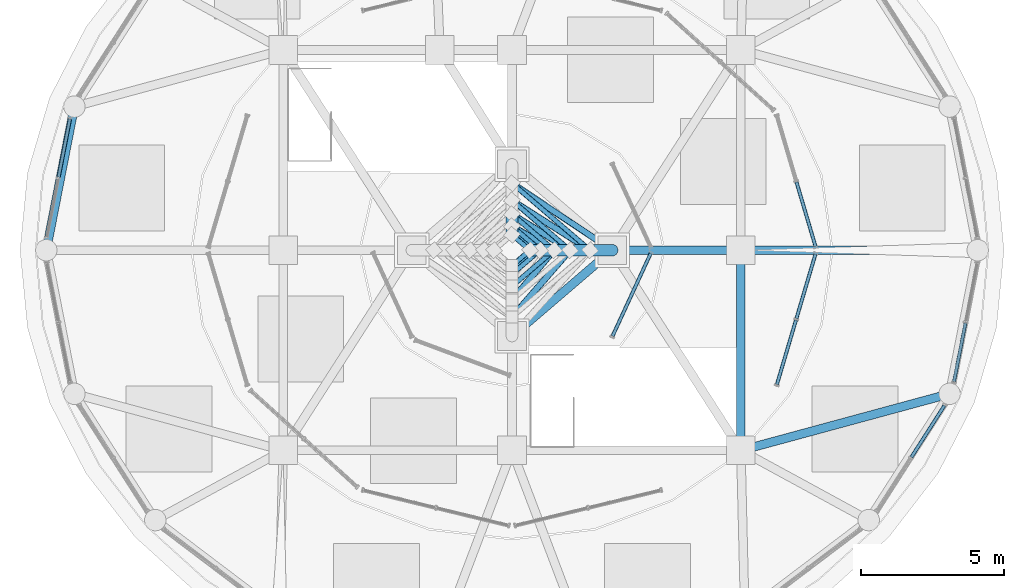
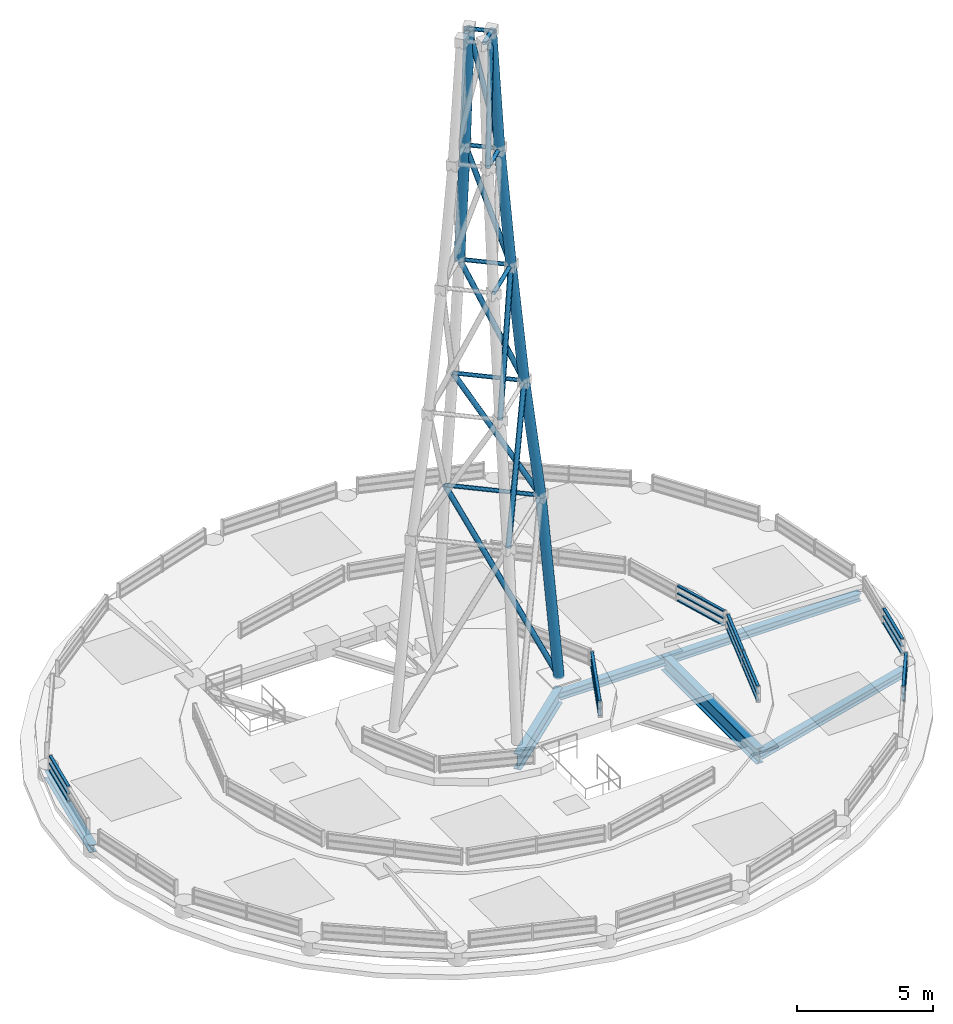
# One storey, part 4 of 21: 44 members, 6 beams, 6 elements without a shape of their own.
"""IFC4 building model written with IfcOpenShell, lengths in metres."""

import ifcopenshell
import ifcopenshell.guid

model = None  # the IFC model being written
_history = None  # IfcOwnerHistory: only IFC2X3 demands one
_inside = {}  # id of a spatial element -> (the spatial element, [elements in it])
_under = {}  # id of a project, library or spatial element -> (it, [spatial elements below it])
_declared = {}  # id of a project -> (the project, [libraries it declares])
_typed = {}  # id of a type object -> (the type object, [elements of that type])
_made_of = {}  # id of a material, layer set ... -> (it, [elements and type objects made of it])


def new_model(schema):
    """Start an empty IFC model of exactly this schema.

    Asked for "IFC4X3", IfcOpenShell would pick the latest addendum, in which some entities
    have other attributes; the version numbers below select the first issue.
    IFC2X3 requires an IfcOwnerHistory on every rooted entity: one is made here for all.
    """
    global model, _history
    if schema == "IFC4X3":
        model = ifcopenshell.file(schema_version=(4, 3, 0, 0))
    else:
        model = ifcopenshell.file(schema=schema)
    _inside.clear()
    _under.clear()
    _declared.clear()
    _typed.clear()
    _made_of.clear()
    _history = None
    if model.schema == "IFC2X3":
        org = make("IfcOrganization", Name="unknown")
        user = make(
            "IfcPersonAndOrganization",
            ThePerson=make("IfcPerson", FamilyName="unknown"),
            TheOrganization=org,
        )
        app = make(
            "IfcApplication",
            ApplicationDeveloper=org,
            Version="unknown",
            ApplicationFullName="unknown",
            ApplicationIdentifier="unknown",
        )
        _history = make(
            "IfcOwnerHistory",
            OwningUser=user,
            OwningApplication=app,
            ChangeAction="ADDED",
            CreationDate=0,
        )
    return model


def make(cls, **values):
    """One entity of the class cls with the attributes given. An attribute that is None is left unset."""
    return model.create_entity(
        cls, **{name: value for name, value in values.items() if value is not None}
    )


def rooted(cls, **values):
    """An entity with a GlobalId (a new one), such as an element, a storey or a relation."""
    return make(cls, GlobalId=ifcopenshell.guid.new(), OwnerHistory=_history, **values)


def si_unit(unit_type, name, prefix=None):
    """IfcSIUnit, for example si_unit("LENGTHUNIT", "METRE", prefix="MILLI")."""
    return make("IfcSIUnit", UnitType=unit_type, Prefix=prefix, Name=name)


def assignment(units):
    """IfcUnitAssignment: the units of a project."""
    return None if units is None else make("IfcUnitAssignment", Units=units)


def point(xyz):
    """IfcCartesianPoint."""
    return None if xyz is None else make("IfcCartesianPoint", Coordinates=xyz)


def direction(xyz):
    """IfcDirection."""
    return None if xyz is None else make("IfcDirection", DirectionRatios=xyz)


def frame(location, z_axis=None, x_axis=None):
    """IfcAxis2Placement3D, a coordinate frame: its origin and axes. An axis left out is left unset."""
    return make(
        "IfcAxis2Placement3D",
        Location=point(location),
        Axis=direction(z_axis),
        RefDirection=direction(x_axis),
    )


def frame_2d(location, x_axis=None):
    """IfcAxis2Placement2D, a coordinate frame in the plane: its origin and x axis."""
    return make(
        "IfcAxis2Placement2D", Location=point(location), RefDirection=direction(x_axis)
    )


def origin():
    """The frame at (0, 0, 0) with its axes left unset."""
    return frame((0.0, 0.0, 0.0))


def origin_2d():
    """The frame at (0, 0) in the plane with its x axis left unset."""
    return frame_2d((0.0, 0.0))


def place(relative_to, where):
    """IfcLocalPlacement: puts the frame where relative to a parent placement (None: the world)."""
    return make(
        "IfcLocalPlacement", PlacementRelTo=relative_to, RelativePlacement=where
    )


def context(
    kind, dimensions, precision=None, world=None, true_north=None, identifier=None
):
    """IfcGeometricRepresentationContext, for example the 3D "Model" context."""
    return make(
        "IfcGeometricRepresentationContext",
        ContextIdentifier=identifier,
        ContextType=kind,
        CoordinateSpaceDimension=dimensions,
        Precision=precision,
        WorldCoordinateSystem=world,
        TrueNorth=true_north,
    )


def subcontext(parent, identifier, kind, view, scale=None):
    """IfcGeometricRepresentationSubContext, for example "Body" below "Model"."""
    return make(
        "IfcGeometricRepresentationSubContext",
        ContextIdentifier=identifier,
        ContextType=kind,
        ParentContext=parent,
        TargetScale=scale,
        TargetView=view,
    )


def project(units=None, contexts=None):
    """IfcProject with its units and contexts."""
    return rooted(
        "IfcProject",
        Name="project",
        RepresentationContexts=contexts,
        UnitsInContext=assignment(units),
    )


def spatial(cls, under=None, at=None, **own):
    """A site, building, storey or space (cls), placed at a placement, below another one or the project."""
    s = rooted(cls, ObjectPlacement=at, **own)
    if under is not None:
        _under.setdefault(under.id(), (under, []))[1].append(s)
    return s


def profile(cls, at=None, kind="AREA", **sizes):
    """A parametric profile (cls). Its sizes go by their IFC names, for example OverallWidth=200.0."""
    return make(cls, ProfileType=kind, Position=at, **sizes)


def hollow_rectangle(**sizes):
    """IfcRectangleHollowProfileDef."""
    return profile("IfcRectangleHollowProfileDef", **sizes)


def hollow_circle(**sizes):
    """IfcCircleHollowProfileDef."""
    return profile("IfcCircleHollowProfileDef", **sizes)


def i_section(**sizes):
    """IfcIShapeProfileDef."""
    return profile("IfcIShapeProfileDef", **sizes)


def extrude(swept, where, along, depth):
    """IfcExtrudedAreaSolid: the profile swept, set in the frame where, extruded along a direction by depth."""
    return make(
        "IfcExtrudedAreaSolid",
        SweptArea=swept,
        Position=where,
        ExtrudedDirection=direction(along),
        Depth=depth,
    )


def shape(context_of_items, identifier, shape_type, items):
    """IfcShapeRepresentation: the items that make up one representation, for example the "Body"."""
    return make(
        "IfcShapeRepresentation",
        ContextOfItems=context_of_items,
        RepresentationIdentifier=identifier,
        RepresentationType=shape_type,
        Items=items,
    )


def material(Name=None, Category=None):
    """IfcMaterial."""
    return make("IfcMaterial", Name=Name, Category=Category)


def layer(
    of_material, thickness, ventilated=None, Name=None, Category=None, Priority=None
):
    """IfcMaterialLayer: one layer of a wall or slab, of a material (None: an air gap)."""
    return make(
        "IfcMaterialLayer",
        Material=of_material,
        LayerThickness=thickness,
        IsVentilated=ventilated,
        Name=Name,
        Category=Category,
        Priority=Priority,
    )


def layer_set(layers, Name=None):
    """IfcMaterialLayerSet."""
    return make("IfcMaterialLayerSet", MaterialLayers=layers, LayerSetName=Name)


def material_profile(
    of_material, cross_section, Name=None, Category=None, Priority=None
):
    """IfcMaterialProfile: a cross section and its material."""
    return make(
        "IfcMaterialProfile",
        Name=Name,
        Material=of_material,
        Profile=cross_section,
        Priority=Priority,
        Category=Category,
    )


def profile_set(profiles, Name=None, composite=None):
    """IfcMaterialProfileSet."""
    return make(
        "IfcMaterialProfileSet",
        Name=Name,
        MaterialProfiles=profiles,
        CompositeProfile=composite,
    )


def made_of(thing, what):
    """Note that an element or type object is made of a material, layer set ...; save() writes the relation."""
    if what is not None:
        _made_of.setdefault(what.id(), (what, []))[1].append(thing)
    return thing


def type_object(cls, material=None, **own):
    """A type object (cls), such as IfcWallType, which elements share."""
    return made_of(rooted(cls, **own), material)


def element(
    cls,
    number,
    at=None,
    inside=None,
    cuts=None,
    type_object=None,
    material=None,
    context=None,
    identifier="Body",
    shape_type=None,
    held_by="IfcProductDefinitionShape",
    body=None,
    shapes=None,
    **own,
):
    """One element of the class cls, such as IfcWall. Its Tag is "e" and its number.

    at: its placement. inside: the storey or other place that contains it. cuts: it is an
    opening in that element (IfcRelVoidsElement). A single representation is given by context,
    identifier, shape_type and body (its items); several are given by shapes. held_by: the class
    of the entity that holds the representations. save() writes the other relations.
    """
    e = rooted(cls, Tag="e%d" % number, ObjectPlacement=at, **own)
    if body is not None:
        shapes = [shape(context, identifier, shape_type, body)]
    if shapes is not None:
        e.Representation = make(held_by, Representations=shapes)
    if inside is not None:
        _inside.setdefault(inside.id(), (inside, []))[1].append(e)
    if cuts is not None:
        rooted(
            "IfcRelVoidsElement", RelatingBuildingElement=cuts, RelatedOpeningElement=e
        )
    if type_object is not None:
        _typed.setdefault(type_object.id(), (type_object, []))[1].append(e)
    return made_of(e, material)


def aggregate(whole, parts):
    """IfcRelAggregates: a whole, such as a stair, and the parts it consists of."""
    return rooted("IfcRelAggregates", RelatingObject=whole, RelatedObjects=parts)


def save(model, path):
    """Write the relations noted so far, then the file.

    IfcRelAggregates (storeys below a building ...), IfcRelContainedInSpatialStructure (elements
    in a storey), IfcRelDefinesByType, IfcRelAssociatesMaterial and IfcRelDeclares: one each for
    every whole, place, type object, material and project.
    """
    for whole, parts in _under.values():
        aggregate(whole, parts)
    for where, things in _inside.values():
        rooted(
            "IfcRelContainedInSpatialStructure",
            RelatedElements=things,
            RelatingStructure=where,
        )
    for kind, things in _typed.values():
        rooted("IfcRelDefinesByType", RelatedObjects=things, RelatingType=kind)
    for what, things in _made_of.values():
        rooted("IfcRelAssociatesMaterial", RelatedObjects=things, RelatingMaterial=what)
    for by, libraries in _declared.values():
        rooted("IfcRelDeclares", RelatingContext=by, RelatedDefinitions=libraries)
    model.write(path)


model = new_model("IFC4")

# Units and contexts
model_context = context("Model", 3, precision=1e-05, world=origin(), true_north=direction((0.0, 1.0)))
body_context = subcontext(model_context, "Body", "Model", "MODEL_VIEW")
ifc_project = project(units=[si_unit("LENGTHUNIT", "METRE"), si_unit("AREAUNIT", "SQUARE_METRE"), si_unit("VOLUMEUNIT", "CUBIC_METRE"), si_unit("PLANEANGLEUNIT", "RADIAN"), si_unit("MASSUNIT", "GRAM", prefix="KILO")], contexts=[model_context])

# Site, building, storey
site_placement = place(None, origin())
site = spatial("IfcSite", under=ifc_project, at=site_placement, CompositionType="ELEMENT")
building_placement = place(site_placement, origin())
building = spatial("IfcBuilding", under=site, at=building_placement, Name="Kelanora Arch Commons", CompositionType="ELEMENT")
storey_placement = place(building_placement, frame((0.0, 0.0, 311.10009765625)))
storey = spatial("IfcBuildingStorey", under=building, at=storey_placement, Name="RF", CompositionType="ELEMENT", Elevation=311.10009765625)

# Beams
ifc_material_1 = material(Name="Steel S355", Category="steel")
ifc_material_profile_1 = material_profile(ifc_material_1, i_section(OverallWidth=0.300048828125, OverallDepth=0.699951171875, WebThickness=0.01708984375, FlangeThickness=0.031982421875, FilletRadius=0.027099609375, at=origin_2d()), Name="HEB700")
ifc_profile_set_1 = profile_set([ifc_material_profile_1], Name="Steel S355")
beam_type_1 = type_object("IfcBeamType", Name="BM-CORE-HDR", PredefinedType="BEAM", material=ifc_profile_set_1)
beam_1_placement = place(storey_placement, frame((82.0, 51.0, 0.099853515625), z_axis=(0.0, 1.0, 0.0), x_axis=(-1.0, 0.0, 0.0)))
element("IfcBeam", 1, at=beam_1_placement, inside=storey, type_object=beam_type_1, Name="Crown Mid Lantern Roof Ring 03", PredefinedType="BEAM", context=body_context, shape_type="SweptSolid", body=[
    extrude(i_section(OverallWidth=0.300048828125, OverallDepth=0.699951171875, WebThickness=0.01708984375, FlangeThickness=0.031982421875, FilletRadius=0.027099609375, at=origin_2d()), origin(), (0.0, 0.0, 1.0), 7.0),
])
beam_2_placement = place(storey_placement, frame((74.0, 55.0, 0.199951171875), z_axis=(0.759256602365, 0.650791373456, 0.0), x_axis=(-0.650791373456, 0.759256602365, 0.0)))
element("IfcBeam", 2, at=beam_2_placement, inside=storey, type_object=beam_type_1, Name="Crown Collar Diamond Ring 01", PredefinedType="BEAM", context=body_context, shape_type="SweptSolid", body=[
    extrude(i_section(OverallWidth=0.300048828125, OverallDepth=0.699951171875, WebThickness=0.01708984375, FlangeThickness=0.031982421875, FilletRadius=0.027099609375, at=origin_2d()), origin(), (0.0, 0.0, 1.0), 4.60986328125),
])
ifc_material_profile_2 = material_profile(ifc_material_1, i_section(OverallWidth=0.300048828125, OverallDepth=0.340087890625, WebThickness=0.011962890625, FlangeThickness=0.021484375, FilletRadius=0.027099609375, at=origin_2d()), Name="HEB340")
ifc_profile_set_2 = profile_set([ifc_material_profile_2], Name="Steel S355")
beam_type_2 = type_object("IfcBeamType", Name="BM-DRUM-RING", PredefinedType="BEAM", material=ifc_profile_set_2)
beam_3_placement = place(storey_placement, frame((58.701904296875, 63.02099609375, 0.179931640625), z_axis=(-0.191929675955, -0.981408681176, 0.0), x_axis=(0.981408681176, -0.191929675955, 0.0)))
element("IfcBeam", 3, at=beam_3_placement, inside=storey, type_object=beam_type_2, Name="Crown Outer Lantern Ring Beam 16", PredefinedType="BEAM", context=body_context, shape_type="SweptSolid", body=[
    extrude(i_section(OverallWidth=0.300048828125, OverallDepth=0.340087890625, WebThickness=0.011962890625, FlangeThickness=0.021484375, FilletRadius=0.027099609375, at=origin_2d()), origin(), (0.0, 0.0, 1.0), 5.1162109375),
])
beam_4_placement = place(storey_placement, frame((90.280029296875, 58.0, 0.169921875), z_axis=(-1.0, 0.0, 0.0), x_axis=(0.0, -1.0, 0.0)))
element("IfcBeam", 4, at=beam_4_placement, inside=storey, type_object=beam_type_2, Name="Sloped Glass Crown Outer Rafter 01A", PredefinedType="BEAM", context=body_context, shape_type="SweptSolid", body=[
    extrude(i_section(OverallWidth=0.300048828125, OverallDepth=0.340087890625, WebThickness=0.011962890625, FlangeThickness=0.021484375, FilletRadius=0.027099609375, at=origin_2d()), origin(), (0.0, 0.0, 1.0), 8.280029296875),
])
beam_5_placement = place(storey_placement, frame((82.0, 58.0, 0.169921875), z_axis=(-1.0, 0.0, 0.0), x_axis=(0.0, -1.0, 0.0)))
element("IfcBeam", 5, at=beam_5_placement, inside=storey, type_object=beam_type_2, Name="Sloped Glass Crown Inner Rafter 01", PredefinedType="BEAM", context=body_context, shape_type="SweptSolid", body=[
    extrude(i_section(OverallWidth=0.300048828125, OverallDepth=0.340087890625, WebThickness=0.011962890625, FlangeThickness=0.021484375, FilletRadius=0.027099609375, at=origin_2d()), origin(), (0.0, 0.0, 1.0), 4.5),
])
beam_6_placement = place(storey_placement, frame((89.298095703125, 52.97900390625, 0.169921875), z_axis=(-0.965145027625, -0.26171563891, 0.0), x_axis=(0.26171563891, -0.965145027625, 0.0)))
element("IfcBeam", 6, at=beam_6_placement, inside=storey, type_object=beam_type_2, Name="Sloped Glass Crown Outer Rafter 18A", PredefinedType="BEAM", context=body_context, shape_type="SweptSolid", body=[
    extrude(i_section(OverallWidth=0.300048828125, OverallDepth=0.340087890625, WebThickness=0.011962890625, FlangeThickness=0.021484375, FilletRadius=0.027099609375, at=origin_2d()), origin(), (0.0, 0.0, 1.0), 7.561767578125),
])

# Curtain wall, members
ifc_material_2 = material(Name="Terracotta ceramic-fritted low-E glass and aluminium", Category="masonry")
ifc_layer = layer(ifc_material_2, 0.14990234375)
ifc_layer_set = layer_set([ifc_layer], Name="Terracotta ceramic-fritted low-E glass and aluminium")
curtain_wall_type = type_object("IfcCurtainWallType", Name="CW-SYS-06", PredefinedType="NOTDEFINED", material=ifc_layer_set)
curtain_wall_1_placement = place(storey_placement, origin())
curtain_wall_1 = element("IfcCurtainWall", 7, at=curtain_wall_1_placement, inside=storey, type_object=curtain_wall_type, Name="Sloped Glass Crown Lantern T1-09", PredefinedType="NOTDEFINED")
ifc_material_3 = material(Name="Powder-coated aluminium terracotta", Category="masonry")
ifc_material_profile_3 = material_profile(ifc_material_3, hollow_rectangle(XDim=0.1201171875, YDim=0.06005859375, WallThickness=0.0048828125, InnerFilletRadius=0.0048828125, OuterFilletRadius=0.010009765625, at=origin_2d()), Name="CWT120x60")
ifc_profile_set_3 = profile_set([ifc_material_profile_3], Name="Powder-coated aluminium terracotta")
member_type_1 = type_object("IfcMemberType", Name="CWT-STD", PredefinedType="USERDEFINED", material=ifc_profile_set_3)
member_1_placement = place(storey_placement, frame((58.5478515625, 62.59326171875, 0.619873046875), z_axis=(-0.191893651219, -0.981415725685, 0.0), x_axis=(0.981415725685, -0.191893651219, 0.0)))
member_1 = element("IfcMember", 8, at=member_1_placement, type_object=member_type_1, Name="CW-06 transom 1.1", ObjectType="TRANSOM", PredefinedType="USERDEFINED", context=body_context, shape_type="SweptSolid", body=[
    extrude(hollow_rectangle(XDim=0.1201171875, YDim=0.06005859375, WallThickness=0.0048828125, InnerFilletRadius=0.0048828125, OuterFilletRadius=0.010009765625, at=origin_2d()), origin(), (0.0, 0.0, 1.0), 2.080078125),
])
member_2_placement = place(storey_placement, frame((58.5478515625, 62.59326171875, 0.93994140625), z_axis=(-0.191893651219, -0.981415725685, 0.0), x_axis=(0.981415725685, -0.191893651219, 0.0)))
member_2 = element("IfcMember", 9, at=member_2_placement, type_object=member_type_1, Name="CW-06 transom 1.2", ObjectType="TRANSOM", PredefinedType="USERDEFINED", context=body_context, shape_type="SweptSolid", body=[
    extrude(hollow_rectangle(XDim=0.1201171875, YDim=0.06005859375, WallThickness=0.0048828125, InnerFilletRadius=0.0048828125, OuterFilletRadius=0.010009765625, at=origin_2d()), origin(), (0.0, 0.0, 1.0), 2.080078125),
])
member_3_placement = place(storey_placement, frame((58.5478515625, 62.59326171875, 1.260009765625), z_axis=(-0.191893651219, -0.981415725685, 0.0), x_axis=(0.981415725685, -0.191893651219, 0.0)))
member_3 = element("IfcMember", 10, at=member_3_placement, type_object=member_type_1, Name="CW-06 transom 1.3", ObjectType="TRANSOM", PredefinedType="USERDEFINED", context=body_context, shape_type="SweptSolid", body=[
    extrude(hollow_rectangle(XDim=0.1201171875, YDim=0.06005859375, WallThickness=0.0048828125, InnerFilletRadius=0.0048828125, OuterFilletRadius=0.010009765625, at=origin_2d()), origin(), (0.0, 0.0, 1.0), 2.080078125),
])
aggregate(curtain_wall_1, [member_1, member_2, member_3])

curtain_wall_2_placement = place(storey_placement, origin())
curtain_wall_2 = element("IfcCurtainWall", 11, at=curtain_wall_2_placement, inside=storey, type_object=curtain_wall_type, Name="Sloped Glass Crown Lantern T1-17", PredefinedType="NOTDEFINED")
member_4_placement = place(storey_placement, frame((87.960693359375, 50.76220703125, 0.619873046875), z_axis=(0.538937342954, 0.842345855555, 0.0), x_axis=(-0.842345855555, 0.538937342954, 0.0)))
member_4 = element("IfcMember", 12, at=member_4_placement, type_object=member_type_1, Name="CW-06 transom 2.1", ObjectType="TRANSOM", PredefinedType="USERDEFINED", context=body_context, shape_type="SweptSolid", body=[
    extrude(hollow_rectangle(XDim=0.1201171875, YDim=0.06005859375, WallThickness=0.0048828125, InnerFilletRadius=0.0048828125, OuterFilletRadius=0.010009765625, at=origin_2d()), origin(), (0.0, 0.0, 1.0), 2.1435546875),
])
member_5_placement = place(storey_placement, frame((87.960693359375, 50.76220703125, 0.93994140625), z_axis=(0.538937342954, 0.842345855555, 0.0), x_axis=(-0.842345855555, 0.538937342954, 0.0)))
member_5 = element("IfcMember", 13, at=member_5_placement, type_object=member_type_1, Name="CW-06 transom 2.2", ObjectType="TRANSOM", PredefinedType="USERDEFINED", context=body_context, shape_type="SweptSolid", body=[
    extrude(hollow_rectangle(XDim=0.1201171875, YDim=0.06005859375, WallThickness=0.0048828125, InnerFilletRadius=0.0048828125, OuterFilletRadius=0.010009765625, at=origin_2d()), origin(), (0.0, 0.0, 1.0), 2.1435546875),
])
member_6_placement = place(storey_placement, frame((87.960693359375, 50.76220703125, 1.260009765625), z_axis=(0.538937342954, 0.842345855555, 0.0), x_axis=(-0.842345855555, 0.538937342954, 0.0)))
member_6 = element("IfcMember", 14, at=member_6_placement, type_object=member_type_1, Name="CW-06 transom 2.3", ObjectType="TRANSOM", PredefinedType="USERDEFINED", context=body_context, shape_type="SweptSolid", body=[
    extrude(hollow_rectangle(XDim=0.1201171875, YDim=0.06005859375, WallThickness=0.0048828125, InnerFilletRadius=0.0048828125, OuterFilletRadius=0.010009765625, at=origin_2d()), origin(), (0.0, 0.0, 1.0), 2.1435546875),
])
aggregate(curtain_wall_2, [member_4, member_5, member_6])

curtain_wall_3_placement = place(storey_placement, origin())
curtain_wall_3 = element("IfcCurtainWall", 15, at=curtain_wall_3_placement, inside=storey, type_object=curtain_wall_type, Name="Sloped Glass Crown Lantern T1-18", PredefinedType="NOTDEFINED")
member_7_placement = place(storey_placement, frame((89.4521484375, 53.40673828125, 0.619873046875), z_axis=(0.191893651219, 0.981415725685, 0.0), x_axis=(-0.981415725685, 0.191893651219, 0.0)))
member_7 = element("IfcMember", 16, at=member_7_placement, type_object=member_type_1, Name="CW-06 transom 1.1", ObjectType="TRANSOM", PredefinedType="USERDEFINED", context=body_context, shape_type="SweptSolid", body=[
    extrude(hollow_rectangle(XDim=0.1201171875, YDim=0.06005859375, WallThickness=0.0048828125, InnerFilletRadius=0.0048828125, OuterFilletRadius=0.010009765625, at=origin_2d()), origin(), (0.0, 0.0, 1.0), 2.080078125),
])
member_8_placement = place(storey_placement, frame((89.4521484375, 53.40673828125, 0.93994140625), z_axis=(0.191893651219, 0.981415725685, 0.0), x_axis=(-0.981415725685, 0.191893651219, 0.0)))
member_8 = element("IfcMember", 17, at=member_8_placement, type_object=member_type_1, Name="CW-06 transom 1.2", ObjectType="TRANSOM", PredefinedType="USERDEFINED", context=body_context, shape_type="SweptSolid", body=[
    extrude(hollow_rectangle(XDim=0.1201171875, YDim=0.06005859375, WallThickness=0.0048828125, InnerFilletRadius=0.0048828125, OuterFilletRadius=0.010009765625, at=origin_2d()), origin(), (0.0, 0.0, 1.0), 2.080078125),
])
member_9_placement = place(storey_placement, frame((89.4521484375, 53.40673828125, 1.260009765625), z_axis=(0.191893651219, 0.981415725685, 0.0), x_axis=(-0.981415725685, 0.191893651219, 0.0)))
member_9 = element("IfcMember", 18, at=member_9_placement, type_object=member_type_1, Name="CW-06 transom 1.3", ObjectType="TRANSOM", PredefinedType="USERDEFINED", context=body_context, shape_type="SweptSolid", body=[
    extrude(hollow_rectangle(XDim=0.1201171875, YDim=0.06005859375, WallThickness=0.0048828125, InnerFilletRadius=0.0048828125, OuterFilletRadius=0.010009765625, at=origin_2d()), origin(), (0.0, 0.0, 1.0), 2.080078125),
])
aggregate(curtain_wall_3, [member_7, member_8, member_9])

curtain_wall_4_placement = place(storey_placement, origin())
curtain_wall_4 = element("IfcCurtainWall", 19, at=curtain_wall_4_placement, inside=storey, type_object=curtain_wall_type, Name="Sloped Glass Crown Lantern T2-01", PredefinedType="NOTDEFINED")
member_10_placement = place(storey_placement, frame((84.6103515625, 58.13427734375, 0.719970703125), z_axis=(-0.283602831322, 0.958941830387, 0.0), x_axis=(-0.958941830387, -0.283602831322, 0.0)))
member_10 = element("IfcMember", 20, at=member_10_placement, type_object=member_type_1, Name="CW-06 transom 1.1", ObjectType="TRANSOM", PredefinedType="USERDEFINED", context=body_context, shape_type="SweptSolid", body=[
    extrude(hollow_rectangle(XDim=0.1201171875, YDim=0.06005859375, WallThickness=0.0048828125, InnerFilletRadius=0.0048828125, OuterFilletRadius=0.010009765625, at=origin_2d()), origin(), (0.0, 0.0, 1.0), 2.345947265625),
])
member_11_placement = place(storey_placement, frame((84.6103515625, 58.13427734375, 1.039794921875), z_axis=(-0.283602831322, 0.958941830387, 0.0), x_axis=(-0.958941830387, -0.283602831322, 0.0)))
member_11 = element("IfcMember", 21, at=member_11_placement, type_object=member_type_1, Name="CW-06 transom 1.2", ObjectType="TRANSOM", PredefinedType="USERDEFINED", context=body_context, shape_type="SweptSolid", body=[
    extrude(hollow_rectangle(XDim=0.1201171875, YDim=0.06005859375, WallThickness=0.0048828125, InnerFilletRadius=0.0048828125, OuterFilletRadius=0.010009765625, at=origin_2d()), origin(), (0.0, 0.0, 1.0), 2.345947265625),
])
member_12_placement = place(storey_placement, frame((84.6103515625, 58.13427734375, 1.35986328125), z_axis=(-0.283602831322, 0.958941830387, 0.0), x_axis=(-0.958941830387, -0.283602831322, 0.0)))
member_12 = element("IfcMember", 22, at=member_12_placement, type_object=member_type_1, Name="CW-06 transom 1.3", ObjectType="TRANSOM", PredefinedType="USERDEFINED", context=body_context, shape_type="SweptSolid", body=[
    extrude(hollow_rectangle(XDim=0.1201171875, YDim=0.06005859375, WallThickness=0.0048828125, InnerFilletRadius=0.0048828125, OuterFilletRadius=0.010009765625, at=origin_2d()), origin(), (0.0, 0.0, 1.0), 2.345947265625),
])
aggregate(curtain_wall_4, [member_10, member_11, member_12])

curtain_wall_5_placement = place(storey_placement, origin())
curtain_wall_5 = element("IfcCurtainWall", 23, at=curtain_wall_5_placement, inside=storey, type_object=curtain_wall_type, Name="Sloped Glass Crown Lantern T2-12", PredefinedType="NOTDEFINED")
member_13_placement = place(storey_placement, frame((83.262939453125, 53.309326171875, 0.719970703125), z_axis=(0.283507123418, 0.958970130385, 0.0), x_axis=(-0.958970130385, 0.283507123418, 0.0)))
member_13 = element("IfcMember", 24, at=member_13_placement, type_object=member_type_1, Name="CW-06 transom 1.1", ObjectType="TRANSOM", PredefinedType="USERDEFINED", context=body_context, shape_type="SweptSolid", body=[
    extrude(hollow_rectangle(XDim=0.1201171875, YDim=0.06005859375, WallThickness=0.0048828125, InnerFilletRadius=0.0048828125, OuterFilletRadius=0.010009765625, at=origin_2d()), origin(), (0.0, 0.0, 1.0), 2.345703125),
])
member_14_placement = place(storey_placement, frame((83.262939453125, 53.309326171875, 1.039794921875), z_axis=(0.283507123418, 0.958970130385, 0.0), x_axis=(-0.958970130385, 0.283507123418, 0.0)))
member_14 = element("IfcMember", 25, at=member_14_placement, type_object=member_type_1, Name="CW-06 transom 1.2", ObjectType="TRANSOM", PredefinedType="USERDEFINED", context=body_context, shape_type="SweptSolid", body=[
    extrude(hollow_rectangle(XDim=0.1201171875, YDim=0.06005859375, WallThickness=0.0048828125, InnerFilletRadius=0.0048828125, OuterFilletRadius=0.010009765625, at=origin_2d()), origin(), (0.0, 0.0, 1.0), 2.345703125),
])
member_15_placement = place(storey_placement, frame((83.262939453125, 53.309326171875, 1.35986328125), z_axis=(0.283507123418, 0.958970130385, 0.0), x_axis=(-0.958970130385, 0.283507123418, 0.0)))
member_15 = element("IfcMember", 26, at=member_15_placement, type_object=member_type_1, Name="CW-06 transom 1.3", ObjectType="TRANSOM", PredefinedType="USERDEFINED", context=body_context, shape_type="SweptSolid", body=[
    extrude(hollow_rectangle(XDim=0.1201171875, YDim=0.06005859375, WallThickness=0.0048828125, InnerFilletRadius=0.0048828125, OuterFilletRadius=0.010009765625, at=origin_2d()), origin(), (0.0, 0.0, 1.0), 2.345703125),
])
member_16_placement = place(storey_placement, frame((83.945068359375, 55.6162109375, 0.719970703125), z_axis=(0.283602831322, 0.958941830387, 0.0), x_axis=(-0.958941830387, 0.283602831322, 0.0)))
member_16 = element("IfcMember", 27, at=member_16_placement, type_object=member_type_1, Name="CW-06 transom 2.1", ObjectType="TRANSOM", PredefinedType="USERDEFINED", context=body_context, shape_type="SweptSolid", body=[
    extrude(hollow_rectangle(XDim=0.1201171875, YDim=0.06005859375, WallThickness=0.0048828125, InnerFilletRadius=0.0048828125, OuterFilletRadius=0.010009765625, at=origin_2d()), origin(), (0.0, 0.0, 1.0), 2.345947265625),
])
member_17_placement = place(storey_placement, frame((83.945068359375, 55.6162109375, 1.039794921875), z_axis=(0.283602831322, 0.958941830387, 0.0), x_axis=(-0.958941830387, 0.283602831322, 0.0)))
member_17 = element("IfcMember", 28, at=member_17_placement, type_object=member_type_1, Name="CW-06 transom 2.2", ObjectType="TRANSOM", PredefinedType="USERDEFINED", context=body_context, shape_type="SweptSolid", body=[
    extrude(hollow_rectangle(XDim=0.1201171875, YDim=0.06005859375, WallThickness=0.0048828125, InnerFilletRadius=0.0048828125, OuterFilletRadius=0.010009765625, at=origin_2d()), origin(), (0.0, 0.0, 1.0), 2.345947265625),
])
member_18_placement = place(storey_placement, frame((83.945068359375, 55.6162109375, 1.35986328125), z_axis=(0.283602831322, 0.958941830387, 0.0), x_axis=(-0.958941830387, 0.283602831322, 0.0)))
member_18 = element("IfcMember", 29, at=member_18_placement, type_object=member_type_1, Name="CW-06 transom 2.3", ObjectType="TRANSOM", PredefinedType="USERDEFINED", context=body_context, shape_type="SweptSolid", body=[
    extrude(hollow_rectangle(XDim=0.1201171875, YDim=0.06005859375, WallThickness=0.0048828125, InnerFilletRadius=0.0048828125, OuterFilletRadius=0.010009765625, at=origin_2d()), origin(), (0.0, 0.0, 1.0), 2.345947265625),
])
aggregate(curtain_wall_5, [member_13, member_14, member_15, member_16, member_17, member_18])

curtain_wall_6_placement = place(storey_placement, origin())
curtain_wall_6 = element("IfcCurtainWall", 30, at=curtain_wall_6_placement, inside=storey, type_object=curtain_wall_type, Name="Sloped Glass Crown Lantern T3-08", PredefinedType="NOTDEFINED")
member_19_placement = place(storey_placement, frame((77.51513671875, 54.997802734375, 1.02978515625), z_axis=(0.41888810842, 0.908037858585, 0.0), x_axis=(-0.908037858585, 0.41888810842, 0.0)))
member_19 = element("IfcMember", 31, at=member_19_placement, type_object=member_type_1, Name="CW-06 transom 1.1", ObjectType="TRANSOM", PredefinedType="USERDEFINED", context=body_context, shape_type="SweptSolid", body=[
    extrude(hollow_rectangle(XDim=0.1201171875, YDim=0.06005859375, WallThickness=0.0048828125, InnerFilletRadius=0.0048828125, OuterFilletRadius=0.010009765625, at=origin_2d()), origin(), (0.0, 0.0, 1.0), 3.186279296875),
])
member_20_placement = place(storey_placement, frame((77.51513671875, 54.997802734375, 1.349853515625), z_axis=(0.41888810842, 0.908037858585, 0.0), x_axis=(-0.908037858585, 0.41888810842, 0.0)))
member_20 = element("IfcMember", 32, at=member_20_placement, type_object=member_type_1, Name="CW-06 transom 1.2", ObjectType="TRANSOM", PredefinedType="USERDEFINED", context=body_context, shape_type="SweptSolid", body=[
    extrude(hollow_rectangle(XDim=0.1201171875, YDim=0.06005859375, WallThickness=0.0048828125, InnerFilletRadius=0.0048828125, OuterFilletRadius=0.010009765625, at=origin_2d()), origin(), (0.0, 0.0, 1.0), 3.186279296875),
])
member_21_placement = place(storey_placement, frame((77.51513671875, 54.997802734375, 1.669921875), z_axis=(0.41888810842, 0.908037858585, 0.0), x_axis=(-0.908037858585, 0.41888810842, 0.0)))
member_21 = element("IfcMember", 33, at=member_21_placement, type_object=member_type_1, Name="CW-06 transom 1.3", ObjectType="TRANSOM", PredefinedType="USERDEFINED", context=body_context, shape_type="SweptSolid", body=[
    extrude(hollow_rectangle(XDim=0.1201171875, YDim=0.06005859375, WallThickness=0.0048828125, InnerFilletRadius=0.0048828125, OuterFilletRadius=0.010009765625, at=origin_2d()), origin(), (0.0, 0.0, 1.0), 3.186279296875),
])
aggregate(curtain_wall_6, [member_19, member_20, member_21])

# Members
ifc_material_profile_4 = material_profile(ifc_material_1, hollow_circle(Radius=0.109619140625, WallThickness=0.010009765625, at=origin_2d()), Name="CHS219.1x10")
ifc_profile_set_4 = profile_set([ifc_material_profile_4], Name="Steel S355")
member_type_2 = type_object("IfcMemberType", Name="MEM-MAST-DIAG", PredefinedType="USERDEFINED", material=ifc_profile_set_4)
member_22_placement = place(storey_placement, frame((77.5, 58.0, 1.0), z_axis=(-0.372499875102, 0.24905212771, 0.893989306833), x_axis=(-0.555810386067, -0.831309096991, 0.0)))
element("IfcMember", 34, at=member_22_placement, inside=storey, type_object=member_type_2, Name="Broadcast Mast Lattice Brace T1-2", ObjectType="MAST", PredefinedType="USERDEFINED", context=body_context, shape_type="SweptSolid", body=[
    extrude(hollow_circle(Radius=0.109619140625, WallThickness=0.010009765625, at=origin_2d()), origin(), (0.0, 0.0, 1.0), 9.39599609375),
])
member_23_placement = place(storey_placement, frame((74.0, 55.659912109375, 9.39990234375), z_axis=(0.326086612099, 0.37589178316, 0.867394309851), x_axis=(-0.755376964404, 0.655290501723, 0.0)))
element("IfcMember", 35, at=member_23_placement, inside=storey, type_object=member_type_2, Name="Broadcast Mast Lattice Brace T2-1", ObjectType="MAST", PredefinedType="USERDEFINED", context=body_context, shape_type="SweptSolid", body=[
    extrude(hollow_circle(Radius=0.109619140625, WallThickness=0.010009765625, at=origin_2d()), origin(), (0.0, 0.0, 1.0), 6.225341796875),
])
member_24_placement = place(storey_placement, frame((76.72998046875, 58.0, 9.39990234375), z_axis=(-0.43360724087, 0.276365480744, 0.857675277549), x_axis=(-0.537475563029, -0.843279324511, 0.0)))
element("IfcMember", 36, at=member_24_placement, inside=storey, type_object=member_type_2, Name="Broadcast Mast Lattice Brace T2-2", ObjectType="MAST", PredefinedType="USERDEFINED", context=body_context, shape_type="SweptSolid", body=[
    extrude(hollow_circle(Radius=0.109619140625, WallThickness=0.010009765625, at=origin_2d()), origin(), (0.0, 0.0, 1.0), 6.2958984375),
])
member_25_placement = place(storey_placement, frame((74.0, 56.260009765625, 14.7998046875), z_axis=(0.250810404827, 0.296881872646, 0.921387700442), x_axis=(-0.763890180554, 0.645346257488, 0.0)))
element("IfcMember", 37, at=member_25_placement, inside=storey, type_object=member_type_2, Name="Broadcast Mast Lattice Brace T3-1", ObjectType="MAST", PredefinedType="USERDEFINED", context=body_context, shape_type="SweptSolid", body=[
    extrude(hollow_circle(Radius=0.109619140625, WallThickness=0.010009765625, at=origin_2d()), origin(), (0.0, 0.0, 1.0), 5.86083984375),
])
member_26_placement = place(storey_placement, frame((76.030029296875, 58.0, 14.7998046875), z_axis=(-0.343775503615, 0.21337647314, 0.914488318036), x_axis=(-0.527360318194, -0.849641744969, 0.0)))
element("IfcMember", 38, at=member_26_placement, inside=storey, type_object=member_type_2, Name="Broadcast Mast Lattice Brace T3-2", ObjectType="MAST", PredefinedType="USERDEFINED", context=body_context, shape_type="SweptSolid", body=[
    extrude(hollow_circle(Radius=0.109619140625, WallThickness=0.010009765625, at=origin_2d()), origin(), (0.0, 0.0, 1.0), 5.905029296875),
])
member_27_placement = place(storey_placement, frame((75.469970703125, 58.0, 20.199951171875), z_axis=(-0.259753060524, 0.148448809378, 0.954196677076), x_axis=(-0.496185524708, -0.868216519694, 0.0)))
element("IfcMember", 39, at=member_27_placement, inside=storey, type_object=member_type_2, Name="Broadcast Mast Lattice Brace T4-2", ObjectType="MAST", PredefinedType="USERDEFINED", context=body_context, shape_type="SweptSolid", body=[
    extrude(hollow_circle(Radius=0.109619140625, WallThickness=0.010009765625, at=origin_2d()), origin(), (0.0, 0.0, 1.0), 5.6591796875),
])
member_28_placement = place(storey_placement, frame((74.0, 57.159912109375, 25.599853515625), z_axis=(0.114497500212, 0.152707712492, 0.981616359374), x_axis=(-0.800083697571, 0.599888387019, 0.0)))
element("IfcMember", 40, at=member_28_placement, inside=storey, type_object=member_type_2, Name="Broadcast Mast Lattice Brace T5-1", ObjectType="MAST", PredefinedType="USERDEFINED", context=body_context, shape_type="SweptSolid", body=[
    extrude(hollow_circle(Radius=0.109619140625, WallThickness=0.010009765625, at=origin_2d()), origin(), (0.0, 0.0, 1.0), 5.501220703125),
])
member_29_placement = place(storey_placement, frame((74.97998046875, 58.0, 25.599853515625), z_axis=(-0.177698436045, 0.097924499385, 0.979200724186), x_axis=(-0.482638911006, -0.875819434349, 0.0)))
element("IfcMember", 41, at=member_29_placement, inside=storey, type_object=member_type_2, Name="Broadcast Mast Lattice Brace T5-2", ObjectType="MAST", PredefinedType="USERDEFINED", context=body_context, shape_type="SweptSolid", body=[
    extrude(hollow_circle(Radius=0.109619140625, WallThickness=0.010009765625, at=origin_2d()), origin(), (0.0, 0.0, 1.0), 5.514892578125),
])
ifc_material_profile_5 = material_profile(ifc_material_1, hollow_circle(Radius=0.084228515625, WallThickness=0.008056640625, at=origin_2d()), Name="CHS168.3x8")
ifc_profile_set_5 = profile_set([ifc_material_profile_5], Name="Steel S355")
member_type_3 = type_object("IfcMemberType", Name="MEM-MAST-GIRT", PredefinedType="USERDEFINED", material=ifc_profile_set_5)
member_30_placement = place(storey_placement, frame((76.72998046875, 58.0, 9.39990234375), z_axis=(-0.759242223651, 0.650808148247, 0.0), x_axis=(-0.650808148247, -0.759242223651, 0.0)))
element("IfcMember", 42, at=member_30_placement, inside=storey, type_object=member_type_3, Name="Broadcast Mast Horizontal Girt T1-2", ObjectType="MAST", PredefinedType="USERDEFINED", context=body_context, shape_type="SweptSolid", body=[
    extrude(hollow_circle(Radius=0.084228515625, WallThickness=0.008056640625, at=origin_2d()), origin(), (0.0, 0.0, 1.0), 3.595703125),
])
member_31_placement = place(storey_placement, frame((76.030029296875, 58.0, 14.7998046875), z_axis=(-0.759263047913, 0.650783853575, 0.0), x_axis=(-0.650783853575, -0.759263047913, 0.0)))
element("IfcMember", 43, at=member_31_placement, inside=storey, type_object=member_type_3, Name="Broadcast Mast Horizontal Girt T2-2", ObjectType="MAST", PredefinedType="USERDEFINED", context=body_context, shape_type="SweptSolid", body=[
    extrude(hollow_circle(Radius=0.084228515625, WallThickness=0.008056640625, at=origin_2d()), origin(), (0.0, 0.0, 1.0), 2.673583984375),
])
for number, where, z_axis, x_axis, name in (
    (44, (74.0, 56.739990234375, 20.199951171875), (0.759247701122, 0.650801758096, 0.0), (-0.650801758096, 0.759247701122, 0.0), "Broadcast Mast Horizontal Girt T3-1"),
    (45, (75.469970703125, 58.0, 20.199951171875), (-0.759247701122, 0.650801758096, 0.0), (-0.650801758096, -0.759247701122, 0.0), "Broadcast Mast Horizontal Girt T3-2"),
):
    element("IfcMember", number, at=place(storey_placement, frame(where, z_axis=z_axis, x_axis=x_axis)), inside=storey, type_object=member_type_3, Name=name, ObjectType="MAST", PredefinedType="USERDEFINED", context=body_context, shape_type="SweptSolid", body=[
        extrude(hollow_circle(Radius=0.084228515625, WallThickness=0.008056640625, at=origin_2d()), origin(), (0.0, 0.0, 1.0), 1.93603515625),
    ])
for number, where, z_axis, x_axis, name in (
    (46, (74.0, 57.159912109375, 25.599853515625), (0.759216547298, 0.650838101458, 0.0), (-0.650838101458, 0.759216547298, 0.0), "Broadcast Mast Horizontal Girt T4-1"),
    (47, (74.97998046875, 58.0, 25.599853515625), (-0.759216547298, 0.650838101458, 0.0), (-0.650838101458, -0.759216547298, 0.0), "Broadcast Mast Horizontal Girt T4-2"),
):
    element("IfcMember", number, at=place(storey_placement, frame(where, z_axis=z_axis, x_axis=x_axis)), inside=storey, type_object=member_type_3, Name=name, ObjectType="MAST", PredefinedType="USERDEFINED", context=body_context, shape_type="SweptSolid", body=[
        extrude(hollow_circle(Radius=0.084228515625, WallThickness=0.008056640625, at=origin_2d()), origin(), (0.0, 0.0, 1.0), 1.290771484375),
    ])
for number, where, z_axis, x_axis, name in (
    (48, (74.0, 57.4599609375, 31.0), (0.759173512893, 0.650888298651, 0.0), (-0.650888298651, 0.759173512893, 0.0), "Broadcast Mast Horizontal Girt T5-1"),
    (49, (74.6298828125, 58.0, 31.0), (-0.759173512893, 0.650888298651, 0.0), (-0.650888298651, -0.759173512893, 0.0), "Broadcast Mast Horizontal Girt T5-2"),
):
    element("IfcMember", number, at=place(storey_placement, frame(where, z_axis=z_axis, x_axis=x_axis)), inside=storey, type_object=member_type_3, Name=name, ObjectType="MAST", PredefinedType="USERDEFINED", context=body_context, shape_type="SweptSolid", body=[
        extrude(hollow_circle(Radius=0.084228515625, WallThickness=0.008056640625, at=origin_2d()), origin(), (0.0, 0.0, 1.0), 0.82958984375),
    ])
ifc_material_profile_6 = material_profile(ifc_material_1, hollow_circle(Radius=0.203125, WallThickness=0.02001953125, at=origin_2d()), Name="CHS406.4x20")
ifc_profile_set_6 = profile_set([ifc_material_profile_6], Name="Steel S355")
member_type_4 = type_object("IfcMemberType", Name="MEM-MAST-LEG", PredefinedType="USERDEFINED", material=ifc_profile_set_6)
member_32_placement = place(storey_placement, frame((77.5, 58.0, 1.0), z_axis=(-0.09128729817, 0.0, 0.995824597604), x_axis=(0.0, -1.0, 0.0)))
element("IfcMember", 50, at=member_32_placement, inside=storey, type_object=member_type_4, Name="Broadcast Mast Corner Leg T1-2", ObjectType="MAST", PredefinedType="USERDEFINED", context=body_context, shape_type="SweptSolid", body=[
    extrude(hollow_circle(Radius=0.203125, WallThickness=0.02001953125, at=origin_2d()), origin(), (0.0, 0.0, 1.0), 8.43505859375),
])
member_33_placement = place(storey_placement, frame((76.72998046875, 58.0, 9.39990234375), z_axis=(-0.128547495905, 0.0, 0.991703353477), x_axis=(0.0, -1.0, 0.0)))
element("IfcMember", 51, at=member_33_placement, inside=storey, type_object=member_type_4, Name="Broadcast Mast Corner Leg T2-2", ObjectType="MAST", PredefinedType="USERDEFINED", context=body_context, shape_type="SweptSolid", body=[
    extrude(hollow_circle(Radius=0.203125, WallThickness=0.02001953125, at=origin_2d()), origin(), (0.0, 0.0, 1.0), 5.445068359375),
])
member_34_placement = place(storey_placement, frame((76.030029296875, 58.0, 14.7998046875), z_axis=(-0.103158432413, 0.0, 0.994664937465), x_axis=(0.0, -1.0, 0.0)))
element("IfcMember", 52, at=member_34_placement, inside=storey, type_object=member_type_4, Name="Broadcast Mast Corner Leg T3-2", ObjectType="MAST", PredefinedType="USERDEFINED", context=body_context, shape_type="SweptSolid", body=[
    extrude(hollow_circle(Radius=0.203125, WallThickness=0.02001953125, at=origin_2d()), origin(), (0.0, 0.0, 1.0), 5.42919921875),
])
member_35_placement = place(storey_placement, frame((75.469970703125, 58.0, 20.199951171875), z_axis=(-0.090369292317, 0.0, 0.995908324599), x_axis=(0.0, -1.0, 0.0)))
element("IfcMember", 53, at=member_35_placement, inside=storey, type_object=member_type_4, Name="Broadcast Mast Corner Leg T4-2", ObjectType="MAST", PredefinedType="USERDEFINED", context=body_context, shape_type="SweptSolid", body=[
    extrude(hollow_circle(Radius=0.203125, WallThickness=0.02001953125, at=origin_2d()), origin(), (0.0, 0.0, 1.0), 5.422119140625),
])
member_36_placement = place(storey_placement, frame((74.0, 59.260009765625, 20.199951171875), z_axis=(0.0, -0.07753064236, 0.996989969606), x_axis=(1.0, 0.0, 0.0)))
element("IfcMember", 54, at=member_36_placement, inside=storey, type_object=member_type_4, Name="Broadcast Mast Corner Leg T4-3", ObjectType="MAST", PredefinedType="USERDEFINED", context=body_context, shape_type="SweptSolid", body=[
    extrude(hollow_circle(Radius=0.203125, WallThickness=0.02001953125, at=origin_2d()), origin(), (0.0, 0.0, 1.0), 5.416259765625),
])
member_37_placement = place(storey_placement, frame((74.97998046875, 58.0, 25.599853515625), z_axis=(-0.064695323505, 0.0, 0.997905063178), x_axis=(0.0, -1.0, 0.0)))
element("IfcMember", 55, at=member_37_placement, inside=storey, type_object=member_type_4, Name="Broadcast Mast Corner Leg T5-2", ObjectType="MAST", PredefinedType="USERDEFINED", context=body_context, shape_type="SweptSolid", body=[
    extrude(hollow_circle(Radius=0.203125, WallThickness=0.02001953125, at=origin_2d()), origin(), (0.0, 0.0, 1.0), 5.411376953125),
])
member_38_placement = place(storey_placement, frame((74.0, 58.840087890625, 25.599853515625), z_axis=(0.0, -0.055477519868, 0.998459936497), x_axis=(1.0, 0.0, 0.0)))
element("IfcMember", 56, at=member_38_placement, inside=storey, type_object=member_type_4, Name="Broadcast Mast Corner Leg T5-3", ObjectType="MAST", PredefinedType="USERDEFINED", context=body_context, shape_type="SweptSolid", body=[
    extrude(hollow_circle(Radius=0.203125, WallThickness=0.02001953125, at=origin_2d()), origin(), (0.0, 0.0, 1.0), 5.408447265625),
])

save(model, "model.ifc")
